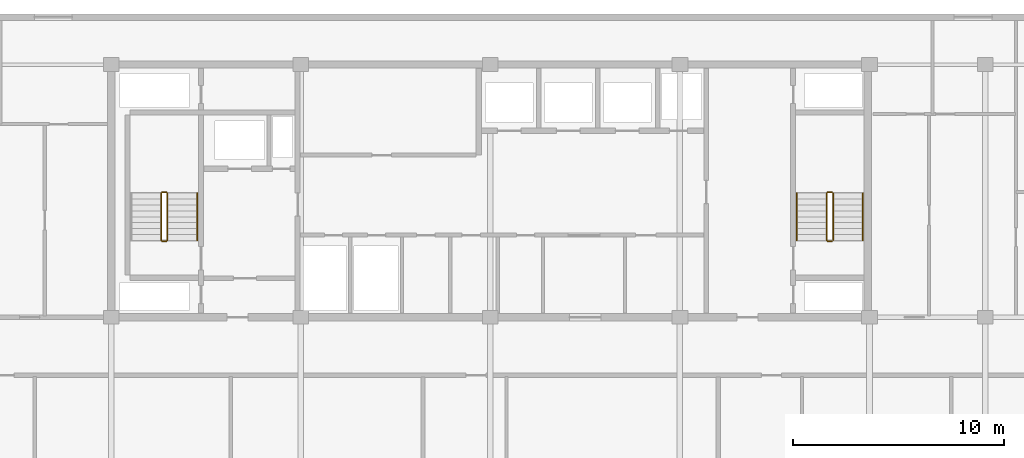
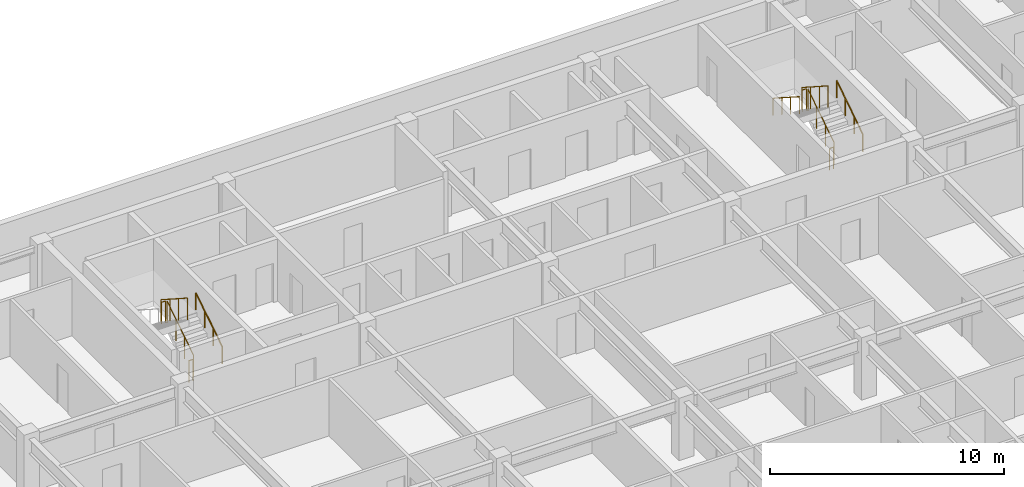
# One storey, part 19 of 22: 11 railings.
"""IFC4 building model written with IfcOpenShell, lengths in metres."""

from ifc_helpers import new_model, si_unit, direction, frame, origin, origin_2d, place, context, subcontext, project, spatial, circle, extrude, material, type_object, element, save


model = new_model("IFC4")

# Units and contexts
model_context = context("Model", 3, precision=1e-05, world=origin(), true_north=direction((0.0, 1.0)))
body_context = subcontext(model_context, "Body", "Model", "MODEL_VIEW")
ifc_project = project(units=[si_unit("LENGTHUNIT", "METRE"), si_unit("AREAUNIT", "SQUARE_METRE"), si_unit("VOLUMEUNIT", "CUBIC_METRE"), si_unit("PLANEANGLEUNIT", "RADIAN"), si_unit("MASSUNIT", "GRAM", prefix="KILO")], contexts=[model_context])

# Site, building, storey
site_placement = place(None, origin())
site = spatial("IfcSite", under=ifc_project, at=site_placement, CompositionType="ELEMENT")
building_placement = place(site_placement, origin())
building = spatial("IfcBuilding", under=site, at=building_placement, Name="Korimba Cascade Residences", CompositionType="ELEMENT")
storey_placement = place(building_placement, frame((0.0, 0.0, 197.85009765625)))
storey = spatial("IfcBuildingStorey", under=building, at=storey_placement, Name="L57", CompositionType="ELEMENT", Elevation=197.85009765625)

# Railings
ifc_material_1 = material(Name="Painted Steel Stairwell Guardrail", Category="steel")
railing_type_1 = type_object("IfcRailingType", Name="RLG-ST-GD1150", PredefinedType="GUARDRAIL", material=ifc_material_1)
railing_1_placement = place(storey_placement, frame((84.77001953125, 22.050048828125, 0.180419921875)))
element("IfcRailing", 1, at=railing_1_placement, inside=storey, type_object=railing_type_1, Name="L57 ST-E1 stair guard 1", PredefinedType="GUARDRAIL", context=body_context, shape_type="SweptSolid", body=[
    extrude(circle(Radius=0.02392578125, at=origin_2d()), frame((0.0, 0.0, 1.1259765625), z_axis=(0.0, 0.840394893359, 0.541974559565), x_axis=(-1.0, 0.0, 0.0)), (0.0, 0.0, 1.0), 2.665283203125),
    extrude(circle(Radius=0.02099609375, at=origin_2d()), origin(), (0.0, 0.0, 1.0), 1.101806640625),
    extrude(circle(Radius=0.02099609375, at=origin_2d()), frame((0.0, 0.74658203125, 0.4814453125)), (0.0, 0.0, 1.0), 1.101806640625),
    extrude(circle(Radius=0.02099609375, at=origin_2d()), frame((0.0, 1.493408203125, 0.963134765625)), (0.0, 0.0, 1.0), 1.101806640625),
    extrude(circle(Radius=0.02099609375, at=origin_2d()), frame((0.0, 2.239990234375, 1.444580078125)), (0.0, 0.0, 1.0), 1.101806640625),
])
railing_2_placement = place(storey_placement, frame((84.719970703125, 24.340087890625, 1.625)))
element("IfcRailing", 2, at=railing_2_placement, inside=storey, type_object=railing_type_1, Name="L57 ST-E1 stair guard 2", PredefinedType="GUARDRAIL", context=body_context, shape_type="SweptSolid", body=[
    extrude(circle(Radius=0.02392578125, at=origin_2d()), frame((0.0, 0.0, 1.1259765625), z_axis=(-1.0, 0.0, 0.0), x_axis=(0.0, -1.0, 0.0)), (0.0, 0.0, 1.0), 0.199951171875),
    extrude(circle(Radius=0.02099609375, at=origin_2d()), origin(), (0.0, 0.0, 1.0), 1.101806640625),
    extrude(circle(Radius=0.02099609375, at=origin_2d()), frame((-0.199951171875, 0.0, 0.0)), (0.0, 0.0, 1.0), 1.101806640625),
])
railing_3_placement = place(storey_placement, frame((84.469970703125, 24.2900390625, 1.805419921875)))
element("IfcRailing", 3, at=railing_3_placement, inside=storey, type_object=railing_type_1, Name="L57 ST-E1 stair guard 3", PredefinedType="GUARDRAIL", context=body_context, shape_type="SweptSolid", body=[
    extrude(circle(Radius=0.02392578125, at=origin_2d()), frame((0.0, 0.0, 1.1259765625), z_axis=(0.0, -0.840394893359, 0.541974559565), x_axis=(1.0, 0.0, 0.0)), (0.0, 0.0, 1.0), 2.665283203125),
    extrude(circle(Radius=0.02099609375, at=origin_2d()), origin(), (0.0, 0.0, 1.0), 1.101806640625),
    extrude(circle(Radius=0.02099609375, at=origin_2d()), frame((0.0, -0.74658203125, 0.4814453125)), (0.0, 0.0, 1.0), 1.101806640625),
    extrude(circle(Radius=0.02099609375, at=origin_2d()), frame((0.0, -1.493408203125, 0.963134765625)), (0.0, 0.0, 1.0), 1.101806640625),
    extrude(circle(Radius=0.02099609375, at=origin_2d()), frame((0.0, -2.239990234375, 1.444580078125)), (0.0, 0.0, 1.0), 1.101806640625),
])
railing_4_placement = place(storey_placement, frame((84.719970703125, 22.0, 0.0)))
element("IfcRailing", 4, at=railing_4_placement, inside=storey, type_object=railing_type_1, Name="L57 ST-E1 stair guard 4", PredefinedType="GUARDRAIL", context=body_context, shape_type="SweptSolid", body=[
    extrude(circle(Radius=0.02392578125, at=origin_2d()), frame((0.0, 0.0, 1.1259765625), z_axis=(-1.0, 0.0, 0.0), x_axis=(0.0, -1.0, 0.0)), (0.0, 0.0, 1.0), 0.199951171875),
    extrude(circle(Radius=0.02099609375, at=origin_2d()), origin(), (0.0, 0.0, 1.0), 1.101806640625),
    extrude(circle(Radius=0.02099609375, at=origin_2d()), frame((-0.199951171875, 0.0, 0.0)), (0.0, 0.0, 1.0), 1.101806640625),
])
railing_5_placement = place(storey_placement, frame((116.3701171875, 22.050048828125, 0.180419921875)))
element("IfcRailing", 5, at=railing_5_placement, inside=storey, type_object=railing_type_1, Name="L57 ST-E2 stair guard 1", PredefinedType="GUARDRAIL", context=body_context, shape_type="SweptSolid", body=[
    extrude(circle(Radius=0.02392578125, at=origin_2d()), frame((0.0, 0.0, 1.1259765625), z_axis=(0.0, 0.840394893359, 0.541974559565), x_axis=(-1.0, 0.0, 0.0)), (0.0, 0.0, 1.0), 2.665283203125),
    extrude(circle(Radius=0.02099609375, at=origin_2d()), origin(), (0.0, 0.0, 1.0), 1.101806640625),
    extrude(circle(Radius=0.02099609375, at=origin_2d()), frame((0.0, 0.74658203125, 0.4814453125)), (0.0, 0.0, 1.0), 1.101806640625),
    extrude(circle(Radius=0.02099609375, at=origin_2d()), frame((0.0, 1.493408203125, 0.963134765625)), (0.0, 0.0, 1.0), 1.101806640625),
    extrude(circle(Radius=0.02099609375, at=origin_2d()), frame((0.0, 2.239990234375, 1.444580078125)), (0.0, 0.0, 1.0), 1.101806640625),
])
railing_6_placement = place(storey_placement, frame((116.320068359375, 24.340087890625, 1.625)))
element("IfcRailing", 6, at=railing_6_placement, inside=storey, type_object=railing_type_1, Name="L57 ST-E2 stair guard 2", PredefinedType="GUARDRAIL", context=body_context, shape_type="SweptSolid", body=[
    extrude(circle(Radius=0.02392578125, at=origin_2d()), frame((0.0, 0.0, 1.1259765625), z_axis=(-1.0, 0.0, 0.0), x_axis=(0.0, -1.0, 0.0)), (0.0, 0.0, 1.0), 0.199951171875),
    extrude(circle(Radius=0.02099609375, at=origin_2d()), origin(), (0.0, 0.0, 1.0), 1.101806640625),
    extrude(circle(Radius=0.02099609375, at=origin_2d()), frame((-0.199951171875, 0.0, 0.0)), (0.0, 0.0, 1.0), 1.101806640625),
])
railing_7_placement = place(storey_placement, frame((116.070068359375, 24.2900390625, 1.805419921875)))
element("IfcRailing", 7, at=railing_7_placement, inside=storey, type_object=railing_type_1, Name="L57 ST-E2 stair guard 3", PredefinedType="GUARDRAIL", context=body_context, shape_type="SweptSolid", body=[
    extrude(circle(Radius=0.02392578125, at=origin_2d()), frame((0.0, 0.0, 1.1259765625), z_axis=(0.0, -0.840394893359, 0.541974559565), x_axis=(1.0, 0.0, 0.0)), (0.0, 0.0, 1.0), 2.665283203125),
    extrude(circle(Radius=0.02099609375, at=origin_2d()), origin(), (0.0, 0.0, 1.0), 1.101806640625),
    extrude(circle(Radius=0.02099609375, at=origin_2d()), frame((0.0, -0.74658203125, 0.4814453125)), (0.0, 0.0, 1.0), 1.101806640625),
    extrude(circle(Radius=0.02099609375, at=origin_2d()), frame((0.0, -1.493408203125, 0.963134765625)), (0.0, 0.0, 1.0), 1.101806640625),
    extrude(circle(Radius=0.02099609375, at=origin_2d()), frame((0.0, -2.239990234375, 1.444580078125)), (0.0, 0.0, 1.0), 1.101806640625),
])
railing_8_placement = place(storey_placement, frame((116.320068359375, 22.0, 0.0)))
element("IfcRailing", 8, at=railing_8_placement, inside=storey, type_object=railing_type_1, Name="L57 ST-E2 stair guard 4", PredefinedType="GUARDRAIL", context=body_context, shape_type="SweptSolid", body=[
    extrude(circle(Radius=0.02392578125, at=origin_2d()), frame((0.0, 0.0, 1.1259765625), z_axis=(-1.0, 0.0, 0.0), x_axis=(0.0, -1.0, 0.0)), (0.0, 0.0, 1.0), 0.199951171875),
    extrude(circle(Radius=0.02099609375, at=origin_2d()), origin(), (0.0, 0.0, 1.0), 1.101806640625),
    extrude(circle(Radius=0.02099609375, at=origin_2d()), frame((-0.199951171875, 0.0, 0.0)), (0.0, 0.0, 1.0), 1.101806640625),
])
ifc_material_2 = material(Name="Brushed Stainless Steel Handrail", Category="steel")
railing_type_2 = type_object("IfcRailingType", Name="RLG-ST-HR900", PredefinedType="HANDRAIL", material=ifc_material_2)
for number, where, name in (
    (9, (86.18994140625, 22.050048828125, 0.36474609375), "L57 ST-E1 stair handrail 1"),
    (10, (117.7900390625, 22.050048828125, 0.36474609375), "L57 ST-E2 stair handrail 1"),
):
    element("IfcRailing", number, at=place(storey_placement, frame(where)), inside=storey, type_object=railing_type_2, Name=name, PredefinedType="HANDRAIL", context=body_context, shape_type="SweptSolid", body=[
        extrude(circle(Radius=0.02392578125, at=origin_2d()), frame((0.0, 0.0, 0.8759765625), z_axis=(0.0, 0.840394893359, 0.541974559565), x_axis=(-1.0, 0.0, 0.0)), (0.0, 0.0, 1.0), 2.665283203125),
        extrude(circle(Radius=0.02099609375, at=origin_2d()), origin(), (0.0, 0.0, 1.0), 0.851806640625),
        extrude(circle(Radius=0.02099609375, at=origin_2d()), frame((0.0, 0.74658203125, 0.4814453125)), (0.0, 0.0, 1.0), 0.851806640625),
        extrude(circle(Radius=0.02099609375, at=origin_2d()), frame((0.0, 1.493408203125, 0.963134765625)), (0.0, 0.0, 1.0), 0.851806640625),
        extrude(circle(Radius=0.02099609375, at=origin_2d()), frame((0.0, 2.239990234375, 1.444580078125)), (0.0, 0.0, 1.0), 0.851806640625),
    ])
railing_9_placement = place(storey_placement, frame((114.64990234375, 24.2900390625, 1.98974609375)))
element("IfcRailing", 11, at=railing_9_placement, inside=storey, type_object=railing_type_2, Name="L57 ST-E2 stair handrail 2", PredefinedType="HANDRAIL", context=body_context, shape_type="SweptSolid", body=[
    extrude(circle(Radius=0.02392578125, at=origin_2d()), frame((0.0, 0.0, 0.8759765625), z_axis=(0.0, -0.840394893359, 0.541974559565), x_axis=(1.0, 0.0, 0.0)), (0.0, 0.0, 1.0), 2.665283203125),
    extrude(circle(Radius=0.02099609375, at=origin_2d()), origin(), (0.0, 0.0, 1.0), 0.851806640625),
    extrude(circle(Radius=0.02099609375, at=origin_2d()), frame((0.0, -0.74658203125, 0.4814453125)), (0.0, 0.0, 1.0), 0.851806640625),
    extrude(circle(Radius=0.02099609375, at=origin_2d()), frame((0.0, -1.493408203125, 0.963134765625)), (0.0, 0.0, 1.0), 0.851806640625),
    extrude(circle(Radius=0.02099609375, at=origin_2d()), frame((0.0, -2.239990234375, 1.444580078125)), (0.0, 0.0, 1.0), 0.851806640625),
])

save(model, "model.ifc")
